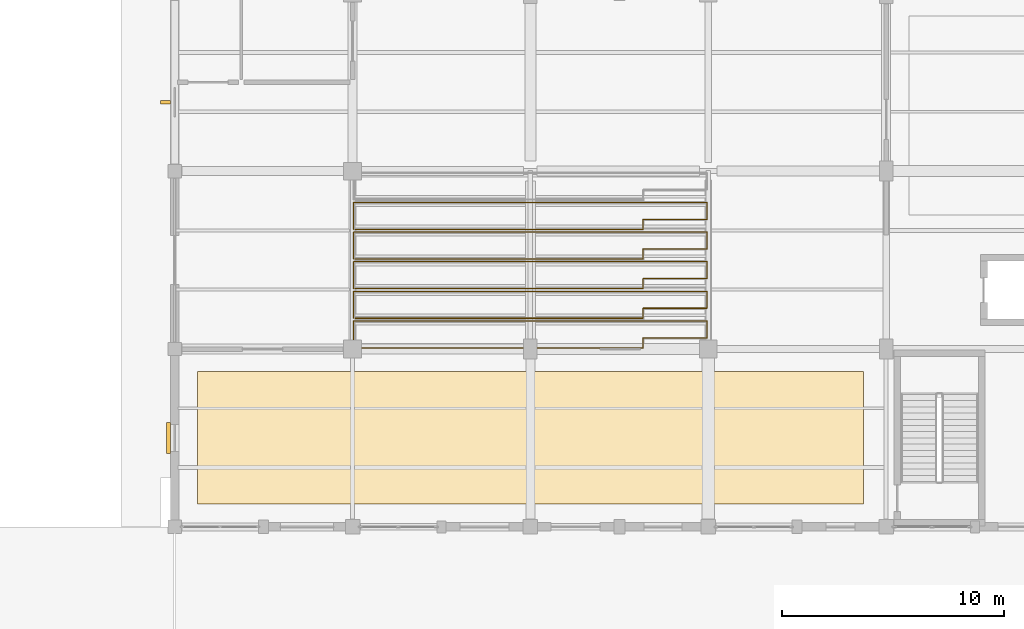
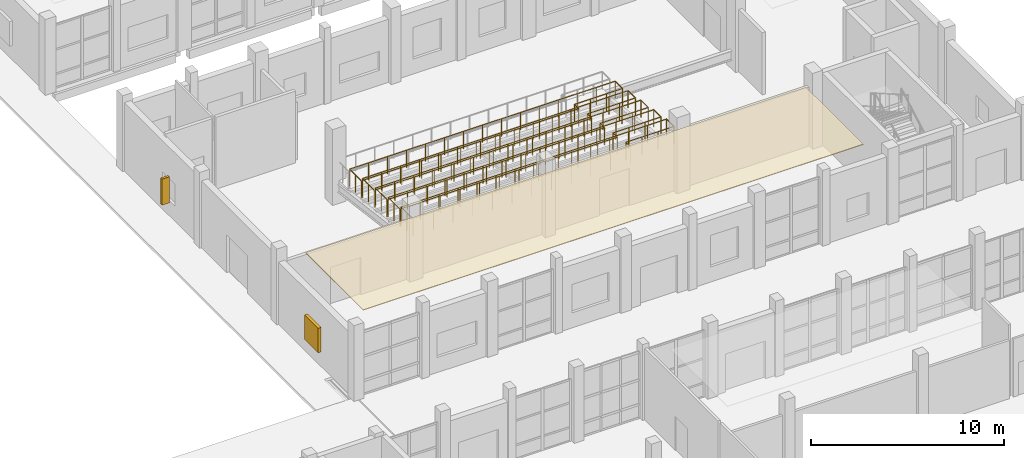
# One storey, part 151 of 156: 5 railings, 2 shading devices, 1 covering.
"""IFC4 building model written with IfcOpenShell, lengths in metres."""

from ifc_helpers import new_model, si_unit, direction, frame, origin, origin_2d, place, context, subcontext, project, spatial, polyline, rectangle, circle, outline, extrude, material, layer, layer_set, type_object, element, save


model = new_model("IFC4")

# Units and contexts
model_context = context("Model", 3, precision=1e-05, world=origin(), true_north=direction((0.0, 1.0)))
body_context = subcontext(model_context, "Body", "Model", "MODEL_VIEW")
ifc_project = project(units=[si_unit("LENGTHUNIT", "METRE"), si_unit("AREAUNIT", "SQUARE_METRE"), si_unit("VOLUMEUNIT", "CUBIC_METRE"), si_unit("PLANEANGLEUNIT", "RADIAN"), si_unit("MASSUNIT", "GRAM", prefix="KILO")], contexts=[model_context])

# Site, building, storey
site_placement = place(None, origin())
site = spatial("IfcSite", under=ifc_project, at=site_placement, CompositionType="ELEMENT")
building_placement = place(site_placement, origin())
building = spatial("IfcBuilding", under=site, at=building_placement, Name="Luwemba Playhouse", CompositionType="ELEMENT")
storey_placement = place(building_placement, origin())
storey = spatial("IfcBuildingStorey", under=building, at=storey_placement, Name="L00", CompositionType="ELEMENT", Elevation=0.0)

# Covering
ifc_material_1 = material(Name="Perforated acoustic gypsum and timber baffle ceiling", Category="wood")
ifc_layer = layer(ifc_material_1, 0.044921875)
ifc_layer_set = layer_set([ifc_layer], Name="Perforated acoustic gypsum and timber baffle ceiling")
covering_type = type_object("IfcCoveringType", Name="COV-CEIL-AC", PredefinedType="CEILING", material=ifc_layer_set)
covering_placement = place(storey_placement, frame((0.0, 0.0, 4.5048828125)))
element("IfcCovering", 1, at=covering_placement, inside=storey, type_object=covering_type, Name="L00 Studio Cloister Foyer acoustic ceiling cloud", PredefinedType="CEILING", context=body_context, shape_type="SweptSolid", body=[
    extrude(outline(polyline([(133.02001953125, 37.02001953125), (162.97998046875, 37.02001953125), (162.97998046875, 42.97998046875), (133.02001953125, 42.97998046875), (133.02001953125, 37.02001953125)])), origin(), (0.0, 0.0, 1.0), 0.045166015625),
])

# Railings
ifc_material_2 = material(Name="Painted wrought-iron gallery balustrade", Category="steel")
railing_type = type_object("IfcRailingType", Name="RLG-BAL-INT", PredefinedType="BALUSTRADE", material=ifc_material_2)
railing_1_placement = place(storey_placement, frame((140.050048828125, 44.050048828125, 2.5)))
element("IfcRailing", 2, at=railing_1_placement, inside=storey, type_object=railing_type, Name="Stand Studio Bay 1 perimeter balustrade", PredefinedType="BALUSTRADE", context=body_context, shape_type="SweptSolid", body=[
    extrude(circle(Radius=0.02392578125, at=origin_2d()), frame((0.0, 0.0, 1.09619140625), z_axis=(0.0, 1.0, 0.0), x_axis=(-1.0, 0.0, 0.0)), (0.0, 0.0, 1.0), 1.213134765625),
    extrude(circle(Radius=0.02392578125, at=origin_2d()), frame((0.0, 1.213134765625, 1.09619140625), z_axis=(1.0, 0.0, 0.0), x_axis=(0.0, 1.0, 0.0)), (0.0, 0.0, 1.0), 15.89990234375),
    extrude(circle(Radius=0.02392578125, at=origin_2d()), frame((15.89990234375, 1.213134765625, 1.09619140625), z_axis=(0.0, -1.0, 0.0), x_axis=(1.0, 0.0, 0.0)), (0.0, 0.0, 1.0), 0.76318359375),
    extrude(circle(Radius=0.02392578125, at=origin_2d()), frame((15.89990234375, 0.449951171875, 1.09619140625), z_axis=(-1.0, 0.0, 0.0), x_axis=(0.0, -1.0, 0.0)), (0.0, 0.0, 1.0), 2.8798828125),
    extrude(circle(Radius=0.02392578125, at=origin_2d()), frame((13.02001953125, 0.449951171875, 1.09619140625), z_axis=(0.0, -1.0, 0.0), x_axis=(1.0, 0.0, 0.0)), (0.0, 0.0, 1.0), 0.449951171875),
    extrude(circle(Radius=0.02392578125, at=origin_2d()), frame((13.02001953125, 0.0, 1.09619140625), z_axis=(-1.0, 0.0, 0.0), x_axis=(0.0, -1.0, 0.0)), (0.0, 0.0, 1.0), 12.9599609375),
    extrude(circle(Radius=0.02099609375, at=origin_2d()), origin(), (0.0, 0.0, 1.0), 1.072021484375),
    extrude(circle(Radius=0.02099609375, at=origin_2d()), frame((0.0, 0.6064453125, 0.0)), (0.0, 0.0, 1.0), 1.072021484375),
    extrude(circle(Radius=0.02099609375, at=origin_2d()), frame((0.0, 1.213134765625, 0.0)), (0.0, 0.0, 1.0), 1.072021484375),
    extrude(circle(Radius=0.02099609375, at=origin_2d()), frame((1.1357421875, 1.213134765625, 0.0)), (0.0, 0.0, 1.0), 1.072021484375),
    extrude(circle(Radius=0.02099609375, at=origin_2d()), frame((2.271484375, 1.213134765625, 0.0)), (0.0, 0.0, 1.0), 1.072021484375),
    extrude(circle(Radius=0.02099609375, at=origin_2d()), frame((3.4072265625, 1.213134765625, 0.0)), (0.0, 0.0, 1.0), 1.072021484375),
    extrude(circle(Radius=0.02099609375, at=origin_2d()), frame((4.542724609375, 1.213134765625, 0.0)), (0.0, 0.0, 1.0), 1.072021484375),
    extrude(circle(Radius=0.02099609375, at=origin_2d()), frame((5.678466796875, 1.213134765625, 0.0)), (0.0, 0.0, 1.0), 1.072021484375),
    extrude(circle(Radius=0.02099609375, at=origin_2d()), frame((6.814208984375, 1.213134765625, 0.0)), (0.0, 0.0, 1.0), 1.072021484375),
    extrude(circle(Radius=0.02099609375, at=origin_2d()), frame((7.949951171875, 1.213134765625, 0.0)), (0.0, 0.0, 1.0), 1.072021484375),
    extrude(circle(Radius=0.02099609375, at=origin_2d()), frame((9.085693359375, 1.213134765625, 0.0)), (0.0, 0.0, 1.0), 1.072021484375),
    extrude(circle(Radius=0.02099609375, at=origin_2d()), frame((10.221435546875, 1.213134765625, 0.0)), (0.0, 0.0, 1.0), 1.072021484375),
    extrude(circle(Radius=0.02099609375, at=origin_2d()), frame((11.357177734375, 1.213134765625, 0.0)), (0.0, 0.0, 1.0), 1.072021484375),
    extrude(circle(Radius=0.02099609375, at=origin_2d()), frame((12.49267578125, 1.213134765625, 0.0)), (0.0, 0.0, 1.0), 1.072021484375),
    extrude(circle(Radius=0.02099609375, at=origin_2d()), frame((13.62841796875, 1.213134765625, 0.0)), (0.0, 0.0, 1.0), 1.072021484375),
    extrude(circle(Radius=0.02099609375, at=origin_2d()), frame((14.76416015625, 1.213134765625, 0.0)), (0.0, 0.0, 1.0), 1.072021484375),
    extrude(circle(Radius=0.02099609375, at=origin_2d()), frame((15.89990234375, 1.213134765625, 0.0)), (0.0, 0.0, 1.0), 1.072021484375),
    extrude(circle(Radius=0.02099609375, at=origin_2d()), frame((15.89990234375, 0.449951171875, 0.0)), (0.0, 0.0, 1.0), 1.072021484375),
    extrude(circle(Radius=0.02099609375, at=origin_2d()), frame((14.93994140625, 0.449951171875, 0.0)), (0.0, 0.0, 1.0), 1.072021484375),
    extrude(circle(Radius=0.02099609375, at=origin_2d()), frame((13.97998046875, 0.449951171875, 0.0)), (0.0, 0.0, 1.0), 1.072021484375),
    extrude(circle(Radius=0.02099609375, at=origin_2d()), frame((13.02001953125, 0.449951171875, 0.0)), (0.0, 0.0, 1.0), 1.072021484375),
    extrude(circle(Radius=0.02099609375, at=origin_2d()), frame((13.02001953125, 0.0, 0.0)), (0.0, 0.0, 1.0), 1.072021484375),
    extrude(circle(Radius=0.02099609375, at=origin_2d()), frame((11.841796875, 0.0, 0.0)), (0.0, 0.0, 1.0), 1.072021484375),
    extrude(circle(Radius=0.02099609375, at=origin_2d()), frame((10.66357421875, 0.0, 0.0)), (0.0, 0.0, 1.0), 1.072021484375),
    extrude(circle(Radius=0.02099609375, at=origin_2d()), frame((9.485595703125, 0.0, 0.0)), (0.0, 0.0, 1.0), 1.072021484375),
    extrude(circle(Radius=0.02099609375, at=origin_2d()), frame((8.307373046875, 0.0, 0.0)), (0.0, 0.0, 1.0), 1.072021484375),
    extrude(circle(Radius=0.02099609375, at=origin_2d()), frame((7.129150390625, 0.0, 0.0)), (0.0, 0.0, 1.0), 1.072021484375),
    extrude(circle(Radius=0.02099609375, at=origin_2d()), frame((5.950927734375, 0.0, 0.0)), (0.0, 0.0, 1.0), 1.072021484375),
    extrude(circle(Radius=0.02099609375, at=origin_2d()), frame((4.772705078125, 0.0, 0.0)), (0.0, 0.0, 1.0), 1.072021484375),
    extrude(circle(Radius=0.02099609375, at=origin_2d()), frame((3.594482421875, 0.0, 0.0)), (0.0, 0.0, 1.0), 1.072021484375),
    extrude(circle(Radius=0.02099609375, at=origin_2d()), frame((2.41650390625, 0.0, 0.0)), (0.0, 0.0, 1.0), 1.072021484375),
    extrude(circle(Radius=0.02099609375, at=origin_2d()), frame((1.23828125, 0.0, 0.0)), (0.0, 0.0, 1.0), 1.072021484375),
    extrude(circle(Radius=0.02099609375, at=origin_2d()), frame((0.06005859375, 0.0, 0.0)), (0.0, 0.0, 1.0), 1.072021484375),
])
railing_2_placement = place(storey_placement, frame((140.050048828125, 45.38330078125, 2.291748046875)))
element("IfcRailing", 3, at=railing_2_placement, inside=storey, type_object=railing_type, Name="Stand Studio Bay 2 perimeter balustrade", PredefinedType="BALUSTRADE", context=body_context, shape_type="SweptSolid", body=[
    extrude(circle(Radius=0.02392578125, at=origin_2d()), frame((0.0, 0.0, 1.09619140625), z_axis=(0.0, 1.0, 0.0), x_axis=(-1.0, 0.0, 0.0)), (0.0, 0.0, 1.0), 1.21337890625),
    extrude(circle(Radius=0.02392578125, at=origin_2d()), frame((0.0, 1.21337890625, 1.09619140625), z_axis=(1.0, 0.0, 0.0), x_axis=(0.0, 1.0, 0.0)), (0.0, 0.0, 1.0), 15.89990234375),
    extrude(circle(Radius=0.02392578125, at=origin_2d()), frame((15.89990234375, 1.21337890625, 1.09619140625), z_axis=(0.0, -1.0, 0.0), x_axis=(1.0, 0.0, 0.0)), (0.0, 0.0, 1.0), 0.763427734375),
    extrude(circle(Radius=0.02392578125, at=origin_2d()), frame((15.89990234375, 0.449951171875, 1.09619140625), z_axis=(-1.0, 0.0, 0.0), x_axis=(0.0, -1.0, 0.0)), (0.0, 0.0, 1.0), 2.8798828125),
    extrude(circle(Radius=0.02392578125, at=origin_2d()), frame((13.02001953125, 0.449951171875, 1.09619140625), z_axis=(0.0, -1.0, 0.0), x_axis=(1.0, 0.0, 0.0)), (0.0, 0.0, 1.0), 0.449951171875),
    extrude(circle(Radius=0.02392578125, at=origin_2d()), frame((13.02001953125, 0.0, 1.09619140625), z_axis=(-1.0, 0.0, 0.0), x_axis=(0.0, -1.0, 0.0)), (0.0, 0.0, 1.0), 12.9599609375),
    extrude(circle(Radius=0.02099609375, at=origin_2d()), origin(), (0.0, 0.0, 1.0), 1.072021484375),
    extrude(circle(Radius=0.02099609375, at=origin_2d()), frame((0.0, 0.606689453125, 0.0)), (0.0, 0.0, 1.0), 1.072021484375),
    extrude(circle(Radius=0.02099609375, at=origin_2d()), frame((0.0, 1.21337890625, 0.0)), (0.0, 0.0, 1.0), 1.072021484375),
    extrude(circle(Radius=0.02099609375, at=origin_2d()), frame((1.1357421875, 1.21337890625, 0.0)), (0.0, 0.0, 1.0), 1.072021484375),
    extrude(circle(Radius=0.02099609375, at=origin_2d()), frame((2.271484375, 1.21337890625, 0.0)), (0.0, 0.0, 1.0), 1.072021484375),
    extrude(circle(Radius=0.02099609375, at=origin_2d()), frame((3.4072265625, 1.21337890625, 0.0)), (0.0, 0.0, 1.0), 1.072021484375),
    extrude(circle(Radius=0.02099609375, at=origin_2d()), frame((4.542724609375, 1.21337890625, 0.0)), (0.0, 0.0, 1.0), 1.072021484375),
    extrude(circle(Radius=0.02099609375, at=origin_2d()), frame((5.678466796875, 1.21337890625, 0.0)), (0.0, 0.0, 1.0), 1.072021484375),
    extrude(circle(Radius=0.02099609375, at=origin_2d()), frame((6.814208984375, 1.21337890625, 0.0)), (0.0, 0.0, 1.0), 1.072021484375),
    extrude(circle(Radius=0.02099609375, at=origin_2d()), frame((7.949951171875, 1.21337890625, 0.0)), (0.0, 0.0, 1.0), 1.072021484375),
    extrude(circle(Radius=0.02099609375, at=origin_2d()), frame((9.085693359375, 1.21337890625, 0.0)), (0.0, 0.0, 1.0), 1.072021484375),
    extrude(circle(Radius=0.02099609375, at=origin_2d()), frame((10.221435546875, 1.21337890625, 0.0)), (0.0, 0.0, 1.0), 1.072021484375),
    extrude(circle(Radius=0.02099609375, at=origin_2d()), frame((11.357177734375, 1.21337890625, 0.0)), (0.0, 0.0, 1.0), 1.072021484375),
    extrude(circle(Radius=0.02099609375, at=origin_2d()), frame((12.49267578125, 1.21337890625, 0.0)), (0.0, 0.0, 1.0), 1.072021484375),
    extrude(circle(Radius=0.02099609375, at=origin_2d()), frame((13.62841796875, 1.21337890625, 0.0)), (0.0, 0.0, 1.0), 1.072021484375),
    extrude(circle(Radius=0.02099609375, at=origin_2d()), frame((14.76416015625, 1.21337890625, 0.0)), (0.0, 0.0, 1.0), 1.072021484375),
    extrude(circle(Radius=0.02099609375, at=origin_2d()), frame((15.89990234375, 1.21337890625, 0.0)), (0.0, 0.0, 1.0), 1.072021484375),
    extrude(circle(Radius=0.02099609375, at=origin_2d()), frame((15.89990234375, 0.449951171875, 0.0)), (0.0, 0.0, 1.0), 1.072021484375),
    extrude(circle(Radius=0.02099609375, at=origin_2d()), frame((14.93994140625, 0.449951171875, 0.0)), (0.0, 0.0, 1.0), 1.072021484375),
    extrude(circle(Radius=0.02099609375, at=origin_2d()), frame((13.97998046875, 0.449951171875, 0.0)), (0.0, 0.0, 1.0), 1.072021484375),
    extrude(circle(Radius=0.02099609375, at=origin_2d()), frame((13.02001953125, 0.449951171875, 0.0)), (0.0, 0.0, 1.0), 1.072021484375),
    extrude(circle(Radius=0.02099609375, at=origin_2d()), frame((13.02001953125, 0.0, 0.0)), (0.0, 0.0, 1.0), 1.072021484375),
    extrude(circle(Radius=0.02099609375, at=origin_2d()), frame((11.841796875, 0.0, 0.0)), (0.0, 0.0, 1.0), 1.072021484375),
    extrude(circle(Radius=0.02099609375, at=origin_2d()), frame((10.66357421875, 0.0, 0.0)), (0.0, 0.0, 1.0), 1.072021484375),
    extrude(circle(Radius=0.02099609375, at=origin_2d()), frame((9.485595703125, 0.0, 0.0)), (0.0, 0.0, 1.0), 1.072021484375),
    extrude(circle(Radius=0.02099609375, at=origin_2d()), frame((8.307373046875, 0.0, 0.0)), (0.0, 0.0, 1.0), 1.072021484375),
    extrude(circle(Radius=0.02099609375, at=origin_2d()), frame((7.129150390625, 0.0, 0.0)), (0.0, 0.0, 1.0), 1.072021484375),
    extrude(circle(Radius=0.02099609375, at=origin_2d()), frame((5.950927734375, 0.0, 0.0)), (0.0, 0.0, 1.0), 1.072021484375),
    extrude(circle(Radius=0.02099609375, at=origin_2d()), frame((4.772705078125, 0.0, 0.0)), (0.0, 0.0, 1.0), 1.072021484375),
    extrude(circle(Radius=0.02099609375, at=origin_2d()), frame((3.594482421875, 0.0, 0.0)), (0.0, 0.0, 1.0), 1.072021484375),
    extrude(circle(Radius=0.02099609375, at=origin_2d()), frame((2.41650390625, 0.0, 0.0)), (0.0, 0.0, 1.0), 1.072021484375),
    extrude(circle(Radius=0.02099609375, at=origin_2d()), frame((1.23828125, 0.0, 0.0)), (0.0, 0.0, 1.0), 1.072021484375),
    extrude(circle(Radius=0.02099609375, at=origin_2d()), frame((0.06005859375, 0.0, 0.0)), (0.0, 0.0, 1.0), 1.072021484375),
])
railing_3_placement = place(storey_placement, frame((140.050048828125, 46.716796875, 2.083251953125)))
element("IfcRailing", 4, at=railing_3_placement, inside=storey, type_object=railing_type, Name="Stand Studio Bay 3 perimeter balustrade", PredefinedType="BALUSTRADE", context=body_context, shape_type="SweptSolid", body=[
    extrude(circle(Radius=0.02392578125, at=origin_2d()), frame((0.0, 0.0, 1.09619140625), z_axis=(0.0, 1.0, 0.0), x_axis=(-1.0, 0.0, 0.0)), (0.0, 0.0, 1.0), 1.213134765625),
    extrude(circle(Radius=0.02392578125, at=origin_2d()), frame((0.0, 1.213134765625, 1.09619140625), z_axis=(1.0, 0.0, 0.0), x_axis=(0.0, 1.0, 0.0)), (0.0, 0.0, 1.0), 15.89990234375),
    extrude(circle(Radius=0.02392578125, at=origin_2d()), frame((15.89990234375, 1.213134765625, 1.09619140625), z_axis=(0.0, -1.0, 0.0), x_axis=(1.0, 0.0, 0.0)), (0.0, 0.0, 1.0), 0.76318359375),
    extrude(circle(Radius=0.02392578125, at=origin_2d()), frame((15.89990234375, 0.449951171875, 1.09619140625), z_axis=(-1.0, 0.0, 0.0), x_axis=(0.0, -1.0, 0.0)), (0.0, 0.0, 1.0), 2.8798828125),
    extrude(circle(Radius=0.02392578125, at=origin_2d()), frame((13.02001953125, 0.449951171875, 1.09619140625), z_axis=(0.0, -1.0, 0.0), x_axis=(1.0, 0.0, 0.0)), (0.0, 0.0, 1.0), 0.449951171875),
    extrude(circle(Radius=0.02392578125, at=origin_2d()), frame((13.02001953125, 0.0, 1.09619140625), z_axis=(-1.0, 0.0, 0.0), x_axis=(0.0, -1.0, 0.0)), (0.0, 0.0, 1.0), 12.9599609375),
    extrude(circle(Radius=0.02099609375, at=origin_2d()), origin(), (0.0, 0.0, 1.0), 1.072021484375),
    extrude(circle(Radius=0.02099609375, at=origin_2d()), frame((0.0, 0.6064453125, 0.0)), (0.0, 0.0, 1.0), 1.072021484375),
    extrude(circle(Radius=0.02099609375, at=origin_2d()), frame((0.0, 1.213134765625, 0.0)), (0.0, 0.0, 1.0), 1.072021484375),
    extrude(circle(Radius=0.02099609375, at=origin_2d()), frame((1.1357421875, 1.213134765625, 0.0)), (0.0, 0.0, 1.0), 1.072021484375),
    extrude(circle(Radius=0.02099609375, at=origin_2d()), frame((2.271484375, 1.213134765625, 0.0)), (0.0, 0.0, 1.0), 1.072021484375),
    extrude(circle(Radius=0.02099609375, at=origin_2d()), frame((3.4072265625, 1.213134765625, 0.0)), (0.0, 0.0, 1.0), 1.072021484375),
    extrude(circle(Radius=0.02099609375, at=origin_2d()), frame((4.542724609375, 1.213134765625, 0.0)), (0.0, 0.0, 1.0), 1.072021484375),
    extrude(circle(Radius=0.02099609375, at=origin_2d()), frame((5.678466796875, 1.213134765625, 0.0)), (0.0, 0.0, 1.0), 1.072021484375),
    extrude(circle(Radius=0.02099609375, at=origin_2d()), frame((6.814208984375, 1.213134765625, 0.0)), (0.0, 0.0, 1.0), 1.072021484375),
    extrude(circle(Radius=0.02099609375, at=origin_2d()), frame((7.949951171875, 1.213134765625, 0.0)), (0.0, 0.0, 1.0), 1.072021484375),
    extrude(circle(Radius=0.02099609375, at=origin_2d()), frame((9.085693359375, 1.213134765625, 0.0)), (0.0, 0.0, 1.0), 1.072021484375),
    extrude(circle(Radius=0.02099609375, at=origin_2d()), frame((10.221435546875, 1.213134765625, 0.0)), (0.0, 0.0, 1.0), 1.072021484375),
    extrude(circle(Radius=0.02099609375, at=origin_2d()), frame((11.357177734375, 1.213134765625, 0.0)), (0.0, 0.0, 1.0), 1.072021484375),
    extrude(circle(Radius=0.02099609375, at=origin_2d()), frame((12.49267578125, 1.213134765625, 0.0)), (0.0, 0.0, 1.0), 1.072021484375),
    extrude(circle(Radius=0.02099609375, at=origin_2d()), frame((13.62841796875, 1.213134765625, 0.0)), (0.0, 0.0, 1.0), 1.072021484375),
    extrude(circle(Radius=0.02099609375, at=origin_2d()), frame((14.76416015625, 1.213134765625, 0.0)), (0.0, 0.0, 1.0), 1.072021484375),
    extrude(circle(Radius=0.02099609375, at=origin_2d()), frame((15.89990234375, 1.213134765625, 0.0)), (0.0, 0.0, 1.0), 1.072021484375),
    extrude(circle(Radius=0.02099609375, at=origin_2d()), frame((15.89990234375, 0.449951171875, 0.0)), (0.0, 0.0, 1.0), 1.072021484375),
    extrude(circle(Radius=0.02099609375, at=origin_2d()), frame((14.93994140625, 0.449951171875, 0.0)), (0.0, 0.0, 1.0), 1.072021484375),
    extrude(circle(Radius=0.02099609375, at=origin_2d()), frame((13.97998046875, 0.449951171875, 0.0)), (0.0, 0.0, 1.0), 1.072021484375),
    extrude(circle(Radius=0.02099609375, at=origin_2d()), frame((13.02001953125, 0.449951171875, 0.0)), (0.0, 0.0, 1.0), 1.072021484375),
    extrude(circle(Radius=0.02099609375, at=origin_2d()), frame((13.02001953125, 0.0, 0.0)), (0.0, 0.0, 1.0), 1.072021484375),
    extrude(circle(Radius=0.02099609375, at=origin_2d()), frame((11.841796875, 0.0, 0.0)), (0.0, 0.0, 1.0), 1.072021484375),
    extrude(circle(Radius=0.02099609375, at=origin_2d()), frame((10.66357421875, 0.0, 0.0)), (0.0, 0.0, 1.0), 1.072021484375),
    extrude(circle(Radius=0.02099609375, at=origin_2d()), frame((9.485595703125, 0.0, 0.0)), (0.0, 0.0, 1.0), 1.072021484375),
    extrude(circle(Radius=0.02099609375, at=origin_2d()), frame((8.307373046875, 0.0, 0.0)), (0.0, 0.0, 1.0), 1.072021484375),
    extrude(circle(Radius=0.02099609375, at=origin_2d()), frame((7.129150390625, 0.0, 0.0)), (0.0, 0.0, 1.0), 1.072021484375),
    extrude(circle(Radius=0.02099609375, at=origin_2d()), frame((5.950927734375, 0.0, 0.0)), (0.0, 0.0, 1.0), 1.072021484375),
    extrude(circle(Radius=0.02099609375, at=origin_2d()), frame((4.772705078125, 0.0, 0.0)), (0.0, 0.0, 1.0), 1.072021484375),
    extrude(circle(Radius=0.02099609375, at=origin_2d()), frame((3.594482421875, 0.0, 0.0)), (0.0, 0.0, 1.0), 1.072021484375),
    extrude(circle(Radius=0.02099609375, at=origin_2d()), frame((2.41650390625, 0.0, 0.0)), (0.0, 0.0, 1.0), 1.072021484375),
    extrude(circle(Radius=0.02099609375, at=origin_2d()), frame((1.23828125, 0.0, 0.0)), (0.0, 0.0, 1.0), 1.072021484375),
    extrude(circle(Radius=0.02099609375, at=origin_2d()), frame((0.06005859375, 0.0, 0.0)), (0.0, 0.0, 1.0), 1.072021484375),
])
railing_4_placement = place(storey_placement, frame((140.050048828125, 48.050048828125, 1.875)))
element("IfcRailing", 5, at=railing_4_placement, inside=storey, type_object=railing_type, Name="Stand Studio Bay 4 perimeter balustrade", PredefinedType="BALUSTRADE", context=body_context, shape_type="SweptSolid", body=[
    extrude(circle(Radius=0.02392578125, at=origin_2d()), frame((0.0, 0.0, 1.09619140625), z_axis=(0.0, 1.0, 0.0), x_axis=(-1.0, 0.0, 0.0)), (0.0, 0.0, 1.0), 1.213134765625),
    extrude(circle(Radius=0.02392578125, at=origin_2d()), frame((0.0, 1.213134765625, 1.09619140625), z_axis=(1.0, 0.0, 0.0), x_axis=(0.0, 1.0, 0.0)), (0.0, 0.0, 1.0), 15.89990234375),
    extrude(circle(Radius=0.02392578125, at=origin_2d()), frame((15.89990234375, 1.213134765625, 1.09619140625), z_axis=(0.0, -1.0, 0.0), x_axis=(1.0, 0.0, 0.0)), (0.0, 0.0, 1.0), 0.76318359375),
    extrude(circle(Radius=0.02392578125, at=origin_2d()), frame((15.89990234375, 0.449951171875, 1.09619140625), z_axis=(-1.0, 0.0, 0.0), x_axis=(0.0, -1.0, 0.0)), (0.0, 0.0, 1.0), 2.8798828125),
    extrude(circle(Radius=0.02392578125, at=origin_2d()), frame((13.02001953125, 0.449951171875, 1.09619140625), z_axis=(0.0, -1.0, 0.0), x_axis=(1.0, 0.0, 0.0)), (0.0, 0.0, 1.0), 0.449951171875),
    extrude(circle(Radius=0.02392578125, at=origin_2d()), frame((13.02001953125, 0.0, 1.09619140625), z_axis=(-1.0, 0.0, 0.0), x_axis=(0.0, -1.0, 0.0)), (0.0, 0.0, 1.0), 12.9599609375),
    extrude(circle(Radius=0.02099609375, at=origin_2d()), origin(), (0.0, 0.0, 1.0), 1.072021484375),
    extrude(circle(Radius=0.02099609375, at=origin_2d()), frame((0.0, 0.6064453125, 0.0)), (0.0, 0.0, 1.0), 1.072021484375),
    extrude(circle(Radius=0.02099609375, at=origin_2d()), frame((0.0, 1.213134765625, 0.0)), (0.0, 0.0, 1.0), 1.072021484375),
    extrude(circle(Radius=0.02099609375, at=origin_2d()), frame((1.1357421875, 1.213134765625, 0.0)), (0.0, 0.0, 1.0), 1.072021484375),
    extrude(circle(Radius=0.02099609375, at=origin_2d()), frame((2.271484375, 1.213134765625, 0.0)), (0.0, 0.0, 1.0), 1.072021484375),
    extrude(circle(Radius=0.02099609375, at=origin_2d()), frame((3.4072265625, 1.213134765625, 0.0)), (0.0, 0.0, 1.0), 1.072021484375),
    extrude(circle(Radius=0.02099609375, at=origin_2d()), frame((4.542724609375, 1.213134765625, 0.0)), (0.0, 0.0, 1.0), 1.072021484375),
    extrude(circle(Radius=0.02099609375, at=origin_2d()), frame((5.678466796875, 1.213134765625, 0.0)), (0.0, 0.0, 1.0), 1.072021484375),
    extrude(circle(Radius=0.02099609375, at=origin_2d()), frame((6.814208984375, 1.213134765625, 0.0)), (0.0, 0.0, 1.0), 1.072021484375),
    extrude(circle(Radius=0.02099609375, at=origin_2d()), frame((7.949951171875, 1.213134765625, 0.0)), (0.0, 0.0, 1.0), 1.072021484375),
    extrude(circle(Radius=0.02099609375, at=origin_2d()), frame((9.085693359375, 1.213134765625, 0.0)), (0.0, 0.0, 1.0), 1.072021484375),
    extrude(circle(Radius=0.02099609375, at=origin_2d()), frame((10.221435546875, 1.213134765625, 0.0)), (0.0, 0.0, 1.0), 1.072021484375),
    extrude(circle(Radius=0.02099609375, at=origin_2d()), frame((11.357177734375, 1.213134765625, 0.0)), (0.0, 0.0, 1.0), 1.072021484375),
    extrude(circle(Radius=0.02099609375, at=origin_2d()), frame((12.49267578125, 1.213134765625, 0.0)), (0.0, 0.0, 1.0), 1.072021484375),
    extrude(circle(Radius=0.02099609375, at=origin_2d()), frame((13.62841796875, 1.213134765625, 0.0)), (0.0, 0.0, 1.0), 1.072021484375),
    extrude(circle(Radius=0.02099609375, at=origin_2d()), frame((14.76416015625, 1.213134765625, 0.0)), (0.0, 0.0, 1.0), 1.072021484375),
    extrude(circle(Radius=0.02099609375, at=origin_2d()), frame((15.89990234375, 1.213134765625, 0.0)), (0.0, 0.0, 1.0), 1.072021484375),
    extrude(circle(Radius=0.02099609375, at=origin_2d()), frame((15.89990234375, 0.449951171875, 0.0)), (0.0, 0.0, 1.0), 1.072021484375),
    extrude(circle(Radius=0.02099609375, at=origin_2d()), frame((14.93994140625, 0.449951171875, 0.0)), (0.0, 0.0, 1.0), 1.072021484375),
    extrude(circle(Radius=0.02099609375, at=origin_2d()), frame((13.97998046875, 0.449951171875, 0.0)), (0.0, 0.0, 1.0), 1.072021484375),
    extrude(circle(Radius=0.02099609375, at=origin_2d()), frame((13.02001953125, 0.449951171875, 0.0)), (0.0, 0.0, 1.0), 1.072021484375),
    extrude(circle(Radius=0.02099609375, at=origin_2d()), frame((13.02001953125, 0.0, 0.0)), (0.0, 0.0, 1.0), 1.072021484375),
    extrude(circle(Radius=0.02099609375, at=origin_2d()), frame((11.841796875, 0.0, 0.0)), (0.0, 0.0, 1.0), 1.072021484375),
    extrude(circle(Radius=0.02099609375, at=origin_2d()), frame((10.66357421875, 0.0, 0.0)), (0.0, 0.0, 1.0), 1.072021484375),
    extrude(circle(Radius=0.02099609375, at=origin_2d()), frame((9.485595703125, 0.0, 0.0)), (0.0, 0.0, 1.0), 1.072021484375),
    extrude(circle(Radius=0.02099609375, at=origin_2d()), frame((8.307373046875, 0.0, 0.0)), (0.0, 0.0, 1.0), 1.072021484375),
    extrude(circle(Radius=0.02099609375, at=origin_2d()), frame((7.129150390625, 0.0, 0.0)), (0.0, 0.0, 1.0), 1.072021484375),
    extrude(circle(Radius=0.02099609375, at=origin_2d()), frame((5.950927734375, 0.0, 0.0)), (0.0, 0.0, 1.0), 1.072021484375),
    extrude(circle(Radius=0.02099609375, at=origin_2d()), frame((4.772705078125, 0.0, 0.0)), (0.0, 0.0, 1.0), 1.072021484375),
    extrude(circle(Radius=0.02099609375, at=origin_2d()), frame((3.594482421875, 0.0, 0.0)), (0.0, 0.0, 1.0), 1.072021484375),
    extrude(circle(Radius=0.02099609375, at=origin_2d()), frame((2.41650390625, 0.0, 0.0)), (0.0, 0.0, 1.0), 1.072021484375),
    extrude(circle(Radius=0.02099609375, at=origin_2d()), frame((1.23828125, 0.0, 0.0)), (0.0, 0.0, 1.0), 1.072021484375),
    extrude(circle(Radius=0.02099609375, at=origin_2d()), frame((0.06005859375, 0.0, 0.0)), (0.0, 0.0, 1.0), 1.072021484375),
])
railing_5_placement = place(storey_placement, frame((140.050048828125, 49.38330078125, 1.666748046875)))
element("IfcRailing", 6, at=railing_5_placement, inside=storey, type_object=railing_type, Name="Stand Studio Bay 5 perimeter balustrade", PredefinedType="BALUSTRADE", context=body_context, shape_type="SweptSolid", body=[
    extrude(circle(Radius=0.02392578125, at=origin_2d()), frame((0.0, 0.0, 1.09619140625), z_axis=(0.0, 1.0, 0.0), x_axis=(-1.0, 0.0, 0.0)), (0.0, 0.0, 1.0), 1.21337890625),
    extrude(circle(Radius=0.02392578125, at=origin_2d()), frame((0.0, 1.21337890625, 1.09619140625), z_axis=(1.0, 0.0, 0.0), x_axis=(0.0, 1.0, 0.0)), (0.0, 0.0, 1.0), 15.89990234375),
    extrude(circle(Radius=0.02392578125, at=origin_2d()), frame((15.89990234375, 1.21337890625, 1.09619140625), z_axis=(0.0, -1.0, 0.0), x_axis=(1.0, 0.0, 0.0)), (0.0, 0.0, 1.0), 0.763427734375),
    extrude(circle(Radius=0.02392578125, at=origin_2d()), frame((15.89990234375, 0.449951171875, 1.09619140625), z_axis=(-1.0, 0.0, 0.0), x_axis=(0.0, -1.0, 0.0)), (0.0, 0.0, 1.0), 2.8798828125),
    extrude(circle(Radius=0.02392578125, at=origin_2d()), frame((13.02001953125, 0.449951171875, 1.09619140625), z_axis=(0.0, -1.0, 0.0), x_axis=(1.0, 0.0, 0.0)), (0.0, 0.0, 1.0), 0.449951171875),
    extrude(circle(Radius=0.02392578125, at=origin_2d()), frame((13.02001953125, 0.0, 1.09619140625), z_axis=(-1.0, 0.0, 0.0), x_axis=(0.0, -1.0, 0.0)), (0.0, 0.0, 1.0), 12.9599609375),
    extrude(circle(Radius=0.02099609375, at=origin_2d()), origin(), (0.0, 0.0, 1.0), 1.072021484375),
    extrude(circle(Radius=0.02099609375, at=origin_2d()), frame((0.0, 0.606689453125, 0.0)), (0.0, 0.0, 1.0), 1.072021484375),
    extrude(circle(Radius=0.02099609375, at=origin_2d()), frame((0.0, 1.21337890625, 0.0)), (0.0, 0.0, 1.0), 1.072021484375),
    extrude(circle(Radius=0.02099609375, at=origin_2d()), frame((1.1357421875, 1.21337890625, 0.0)), (0.0, 0.0, 1.0), 1.072021484375),
    extrude(circle(Radius=0.02099609375, at=origin_2d()), frame((2.271484375, 1.21337890625, 0.0)), (0.0, 0.0, 1.0), 1.072021484375),
    extrude(circle(Radius=0.02099609375, at=origin_2d()), frame((3.4072265625, 1.21337890625, 0.0)), (0.0, 0.0, 1.0), 1.072021484375),
    extrude(circle(Radius=0.02099609375, at=origin_2d()), frame((4.542724609375, 1.21337890625, 0.0)), (0.0, 0.0, 1.0), 1.072021484375),
    extrude(circle(Radius=0.02099609375, at=origin_2d()), frame((5.678466796875, 1.21337890625, 0.0)), (0.0, 0.0, 1.0), 1.072021484375),
    extrude(circle(Radius=0.02099609375, at=origin_2d()), frame((6.814208984375, 1.21337890625, 0.0)), (0.0, 0.0, 1.0), 1.072021484375),
    extrude(circle(Radius=0.02099609375, at=origin_2d()), frame((7.949951171875, 1.21337890625, 0.0)), (0.0, 0.0, 1.0), 1.072021484375),
    extrude(circle(Radius=0.02099609375, at=origin_2d()), frame((9.085693359375, 1.21337890625, 0.0)), (0.0, 0.0, 1.0), 1.072021484375),
    extrude(circle(Radius=0.02099609375, at=origin_2d()), frame((10.221435546875, 1.21337890625, 0.0)), (0.0, 0.0, 1.0), 1.072021484375),
    extrude(circle(Radius=0.02099609375, at=origin_2d()), frame((11.357177734375, 1.21337890625, 0.0)), (0.0, 0.0, 1.0), 1.072021484375),
    extrude(circle(Radius=0.02099609375, at=origin_2d()), frame((12.49267578125, 1.21337890625, 0.0)), (0.0, 0.0, 1.0), 1.072021484375),
    extrude(circle(Radius=0.02099609375, at=origin_2d()), frame((13.62841796875, 1.21337890625, 0.0)), (0.0, 0.0, 1.0), 1.072021484375),
    extrude(circle(Radius=0.02099609375, at=origin_2d()), frame((14.76416015625, 1.21337890625, 0.0)), (0.0, 0.0, 1.0), 1.072021484375),
    extrude(circle(Radius=0.02099609375, at=origin_2d()), frame((15.89990234375, 1.21337890625, 0.0)), (0.0, 0.0, 1.0), 1.072021484375),
    extrude(circle(Radius=0.02099609375, at=origin_2d()), frame((15.89990234375, 0.449951171875, 0.0)), (0.0, 0.0, 1.0), 1.072021484375),
    extrude(circle(Radius=0.02099609375, at=origin_2d()), frame((14.93994140625, 0.449951171875, 0.0)), (0.0, 0.0, 1.0), 1.072021484375),
    extrude(circle(Radius=0.02099609375, at=origin_2d()), frame((13.97998046875, 0.449951171875, 0.0)), (0.0, 0.0, 1.0), 1.072021484375),
    extrude(circle(Radius=0.02099609375, at=origin_2d()), frame((13.02001953125, 0.449951171875, 0.0)), (0.0, 0.0, 1.0), 1.072021484375),
    extrude(circle(Radius=0.02099609375, at=origin_2d()), frame((13.02001953125, 0.0, 0.0)), (0.0, 0.0, 1.0), 1.072021484375),
    extrude(circle(Radius=0.02099609375, at=origin_2d()), frame((11.841796875, 0.0, 0.0)), (0.0, 0.0, 1.0), 1.072021484375),
    extrude(circle(Radius=0.02099609375, at=origin_2d()), frame((10.66357421875, 0.0, 0.0)), (0.0, 0.0, 1.0), 1.072021484375),
    extrude(circle(Radius=0.02099609375, at=origin_2d()), frame((9.485595703125, 0.0, 0.0)), (0.0, 0.0, 1.0), 1.072021484375),
    extrude(circle(Radius=0.02099609375, at=origin_2d()), frame((8.307373046875, 0.0, 0.0)), (0.0, 0.0, 1.0), 1.072021484375),
    extrude(circle(Radius=0.02099609375, at=origin_2d()), frame((7.129150390625, 0.0, 0.0)), (0.0, 0.0, 1.0), 1.072021484375),
    extrude(circle(Radius=0.02099609375, at=origin_2d()), frame((5.950927734375, 0.0, 0.0)), (0.0, 0.0, 1.0), 1.072021484375),
    extrude(circle(Radius=0.02099609375, at=origin_2d()), frame((4.772705078125, 0.0, 0.0)), (0.0, 0.0, 1.0), 1.072021484375),
    extrude(circle(Radius=0.02099609375, at=origin_2d()), frame((3.594482421875, 0.0, 0.0)), (0.0, 0.0, 1.0), 1.072021484375),
    extrude(circle(Radius=0.02099609375, at=origin_2d()), frame((2.41650390625, 0.0, 0.0)), (0.0, 0.0, 1.0), 1.072021484375),
    extrude(circle(Radius=0.02099609375, at=origin_2d()), frame((1.23828125, 0.0, 0.0)), (0.0, 0.0, 1.0), 1.072021484375),
    extrude(circle(Radius=0.02099609375, at=origin_2d()), frame((0.06005859375, 0.0, 0.0)), (0.0, 0.0, 1.0), 1.072021484375),
])

# Shading devices
ifc_material_3 = material(Name="Extruded terracotta brise-soleil fin on steel bracket", Category="masonry")
shading_device_type_1 = type_object("IfcShadingDeviceType", Name="SHD-BRISE", PredefinedType="USERDEFINED", material=ifc_material_3)
shading_device_1_placement = place(storey_placement, frame((131.590087890625, 55.10009765625, 0.824951171875), z_axis=(0.0, 0.0, 1.0), x_axis=(0.0, 1.0, 0.0)))
element("IfcShadingDevice", 7, at=shading_device_1_placement, inside=storey, type_object=shading_device_type_1, Name="L00 terracotta brise-soleil fin 005", ObjectType="TERRACOTTA BRISE SOLEIL", PredefinedType="USERDEFINED", context=body_context, shape_type="SweptSolid", body=[
    extrude(rectangle(XDim=0.139892578125, YDim=0.449951171875, at=origin_2d()), origin(), (0.0, 0.0, 1.0), 1.64990234375),
])
ifc_material_4 = material(Name="Kiln-fired terracotta gelosia louvre screen", Category="masonry")
shading_device_type_2 = type_object("IfcShadingDeviceType", Name="SHD-GELOSIA", PredefinedType="JALOUSIE", material=ifc_material_4)
shading_device_2_placement = place(storey_placement, frame((131.72509765625, 40.0, 0.9248046875), z_axis=(0.0, 0.0, 1.0), x_axis=(0.0, 1.0, 0.0)))
element("IfcShadingDevice", 8, at=shading_device_2_placement, inside=storey, type_object=shading_device_type_2, Name="L00 fired-clay gelosia screen 004", PredefinedType="JALOUSIE", context=body_context, shape_type="SweptSolid", body=[
    extrude(rectangle(XDim=1.39990234375, YDim=0.179931640625, at=origin_2d()), origin(), (0.0, 0.0, 1.0), 1.550048828125),
])

save(model, "model.ifc")
